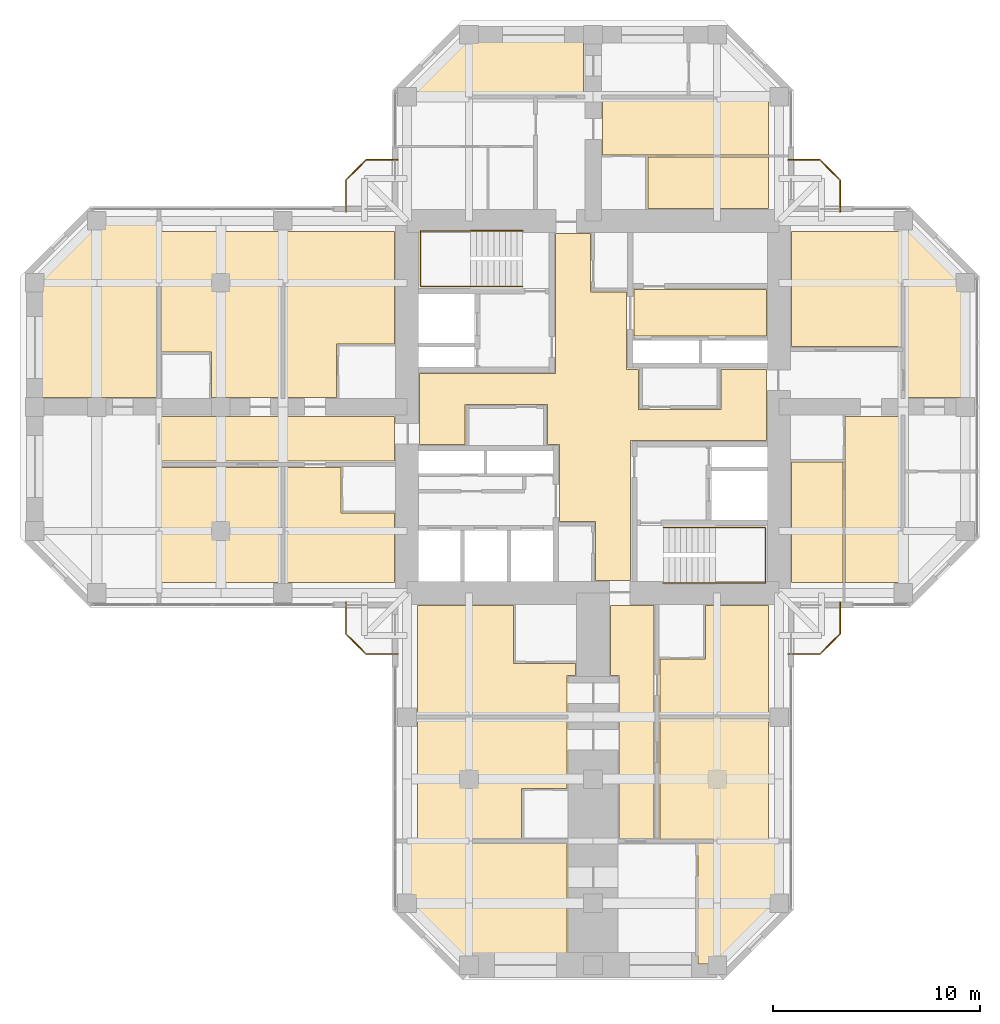
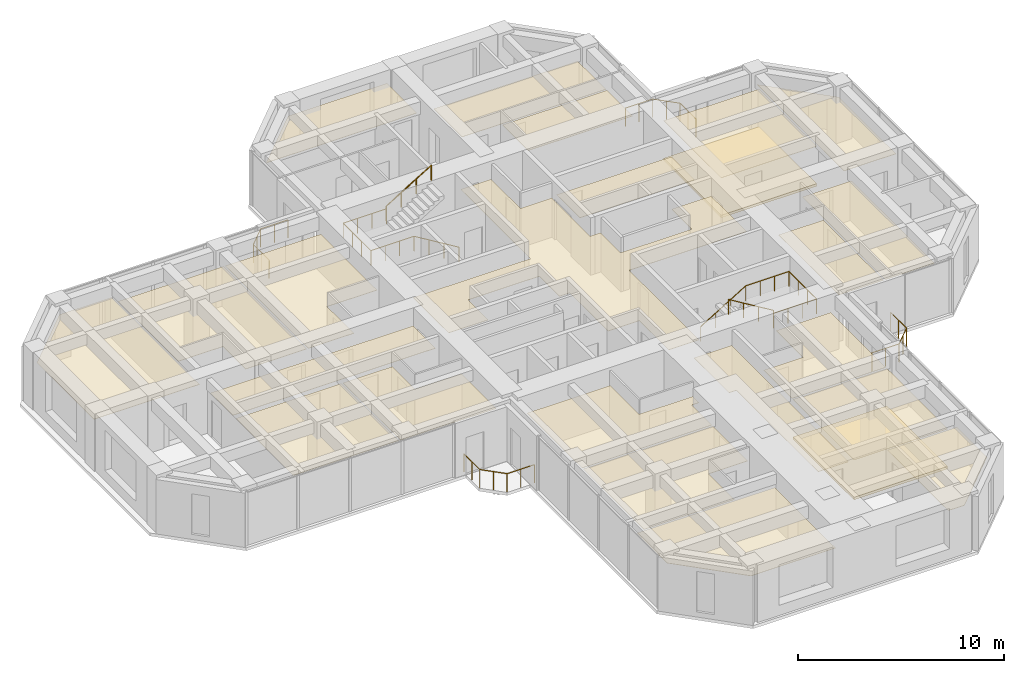
# One storey, part 14 of 14: 24 coverings, 8 railings.
"""IFC4 building model written with IfcOpenShell, lengths in metres."""

from ifc_helpers import new_model, si_unit, direction, frame, origin, origin_2d, place, context, subcontext, project, spatial, polyline, circle, outline, extrude, material, layer, layer_set, constituent, constituent_set, type_object, element, save


model = new_model("IFC4")

# Units and contexts
model_context = context("Model", 3, precision=1e-05, world=origin(), true_north=direction((0.0, 1.0)))
body_context = subcontext(model_context, "Body", "Model", "MODEL_VIEW")
ifc_project = project(units=[si_unit("LENGTHUNIT", "METRE"), si_unit("AREAUNIT", "SQUARE_METRE"), si_unit("VOLUMEUNIT", "CUBIC_METRE"), si_unit("PLANEANGLEUNIT", "RADIAN"), si_unit("MASSUNIT", "GRAM", prefix="KILO")], contexts=[model_context])

# Site, building, storey
site_placement = place(None, origin())
site = spatial("IfcSite", under=ifc_project, at=site_placement, CompositionType="ELEMENT")
building_placement = place(site_placement, origin())
building = spatial("IfcBuilding", under=site, at=building_placement, Name="Torre Cruceta", CompositionType="ELEMENT")
storey_placement = place(building_placement, frame((0.0, 0.0, 206.89990234375)))
storey = spatial("IfcBuildingStorey", under=building, at=storey_placement, Name="L52", CompositionType="ELEMENT", Elevation=206.89990234375)

# Railings
ifc_material_1 = material(Name="Stainless steel 1.4401", Category="steel")
ifc_constituent_1 = constituent(ifc_material_1, Name="Frame")
ifc_material_2 = material(Name="Laminated safety glass", Category="glass")
ifc_constituent_2 = constituent(ifc_material_2, Name="Infill")
ifc_constituent_set_1 = constituent_set(constituents=[ifc_constituent_1, ifc_constituent_2], Name="Stainless steel and laminated glass balustrade")
railing_type_1 = type_object("IfcRailingType", Name="BALCONY BALUSTRADE 1100", PredefinedType="BALUSTRADE", material=ifc_constituent_set_1)
railing_1_placement = place(storey_placement, frame((-9.449951171875, 11.949951171875, 0.0)))
element("IfcRailing", 1, at=railing_1_placement, inside=storey, type_object=railing_type_1, Name="BL1 balcony balustrade L52 N", PredefinedType="BALUSTRADE", context=body_context, shape_type="SweptSolid", body=[
    extrude(circle(Radius=0.02392578125, at=origin_2d()), frame((0.0, 0.0, 1.076171875), z_axis=(-1.0, 0.0, 0.0), x_axis=(0.0, -1.0, 0.0)), (0.0, 0.0, 1.0), 1.529296875),
    extrude(circle(Radius=0.02392578125, at=origin_2d()), frame((-1.529296875, 0.0, 1.076171875), z_axis=(-0.707106781187, -0.707106781187, 0.0), x_axis=(0.707106781187, -0.707106781187, 0.0)), (0.0, 0.0, 1.0), 1.372802734375),
    extrude(circle(Radius=0.02392578125, at=origin_2d()), frame((-2.5, -0.970703125, 1.076171875), z_axis=(0.0, -1.0, 0.0), x_axis=(1.0, 0.0, 0.0)), (0.0, 0.0, 1.0), 1.529296875),
    extrude(circle(Radius=0.02099609375, at=origin_2d()), origin(), (0.0, 0.0, 1.0), 1.052001953125),
    extrude(circle(Radius=0.02099609375, at=origin_2d()), frame((-0.7646484375, 0.0, 0.0)), (0.0, 0.0, 1.0), 1.052001953125),
    extrude(circle(Radius=0.02099609375, at=origin_2d()), frame((-1.529296875, 0.0, 0.0)), (0.0, 0.0, 1.0), 1.052001953125),
    extrude(circle(Radius=0.02099609375, at=origin_2d()), frame((-2.0146484375, -0.4853515625, 0.0)), (0.0, 0.0, 1.0), 1.052001953125),
    extrude(circle(Radius=0.02099609375, at=origin_2d()), frame((-2.5, -0.970703125, 0.0)), (0.0, 0.0, 1.0), 1.052001953125),
    extrude(circle(Radius=0.02099609375, at=origin_2d()), frame((-2.5, -1.7353515625, 0.0)), (0.0, 0.0, 1.0), 1.052001953125),
    extrude(circle(Radius=0.02099609375, at=origin_2d()), frame((-2.5, -2.5, 0.0)), (0.0, 0.0, 1.0), 1.052001953125),
])
railing_2_placement = place(storey_placement, frame((9.449951171875, 11.949951171875, 0.0)))
element("IfcRailing", 2, at=railing_2_placement, inside=storey, type_object=railing_type_1, Name="BL1 balcony balustrade L52 E", PredefinedType="BALUSTRADE", context=body_context, shape_type="SweptSolid", body=[
    extrude(circle(Radius=0.02392578125, at=origin_2d()), frame((0.0, 0.0, 1.076171875), z_axis=(1.0, 0.0, 0.0), x_axis=(0.0, 1.0, 0.0)), (0.0, 0.0, 1.0), 1.529296875),
    extrude(circle(Radius=0.02392578125, at=origin_2d()), frame((1.529296875, 0.0, 1.076171875), z_axis=(0.707106781187, -0.707106781187, 0.0), x_axis=(0.707106781187, 0.707106781187, 0.0)), (0.0, 0.0, 1.0), 1.372802734375),
    extrude(circle(Radius=0.02392578125, at=origin_2d()), frame((2.5, -0.970703125, 1.076171875), z_axis=(0.0, -1.0, 0.0), x_axis=(1.0, 0.0, 0.0)), (0.0, 0.0, 1.0), 1.529296875),
    extrude(circle(Radius=0.02099609375, at=origin_2d()), origin(), (0.0, 0.0, 1.0), 1.052001953125),
    extrude(circle(Radius=0.02099609375, at=origin_2d()), frame((0.7646484375, 0.0, 0.0)), (0.0, 0.0, 1.0), 1.052001953125),
    extrude(circle(Radius=0.02099609375, at=origin_2d()), frame((1.529296875, 0.0, 0.0)), (0.0, 0.0, 1.0), 1.052001953125),
    extrude(circle(Radius=0.02099609375, at=origin_2d()), frame((2.0146484375, -0.4853515625, 0.0)), (0.0, 0.0, 1.0), 1.052001953125),
    extrude(circle(Radius=0.02099609375, at=origin_2d()), frame((2.5, -0.970703125, 0.0)), (0.0, 0.0, 1.0), 1.052001953125),
    extrude(circle(Radius=0.02099609375, at=origin_2d()), frame((2.5, -1.7353515625, 0.0)), (0.0, 0.0, 1.0), 1.052001953125),
    extrude(circle(Radius=0.02099609375, at=origin_2d()), frame((2.5, -2.5, 0.0)), (0.0, 0.0, 1.0), 1.052001953125),
])
railing_3_placement = place(storey_placement, frame((9.449951171875, -11.949951171875, 0.0)))
element("IfcRailing", 3, at=railing_3_placement, inside=storey, type_object=railing_type_1, Name="BL1 balcony balustrade L52 S", PredefinedType="BALUSTRADE", context=body_context, shape_type="SweptSolid", body=[
    extrude(circle(Radius=0.02392578125, at=origin_2d()), frame((0.0, 0.0, 1.076171875), z_axis=(1.0, 0.0, 0.0), x_axis=(0.0, 1.0, 0.0)), (0.0, 0.0, 1.0), 1.529296875),
    extrude(circle(Radius=0.02392578125, at=origin_2d()), frame((1.529296875, 0.0, 1.076171875), z_axis=(0.707106781187, 0.707106781187, 0.0), x_axis=(-0.707106781187, 0.707106781187, 0.0)), (0.0, 0.0, 1.0), 1.372802734375),
    extrude(circle(Radius=0.02392578125, at=origin_2d()), frame((2.5, 0.970703125, 1.076171875), z_axis=(0.0, 1.0, 0.0), x_axis=(-1.0, 0.0, 0.0)), (0.0, 0.0, 1.0), 1.529296875),
    extrude(circle(Radius=0.02099609375, at=origin_2d()), origin(), (0.0, 0.0, 1.0), 1.052001953125),
    extrude(circle(Radius=0.02099609375, at=origin_2d()), frame((0.7646484375, 0.0, 0.0)), (0.0, 0.0, 1.0), 1.052001953125),
    extrude(circle(Radius=0.02099609375, at=origin_2d()), frame((1.529296875, 0.0, 0.0)), (0.0, 0.0, 1.0), 1.052001953125),
    extrude(circle(Radius=0.02099609375, at=origin_2d()), frame((2.0146484375, 0.4853515625, 0.0)), (0.0, 0.0, 1.0), 1.052001953125),
    extrude(circle(Radius=0.02099609375, at=origin_2d()), frame((2.5, 0.970703125, 0.0)), (0.0, 0.0, 1.0), 1.052001953125),
    extrude(circle(Radius=0.02099609375, at=origin_2d()), frame((2.5, 1.7353515625, 0.0)), (0.0, 0.0, 1.0), 1.052001953125),
    extrude(circle(Radius=0.02099609375, at=origin_2d()), frame((2.5, 2.5, 0.0)), (0.0, 0.0, 1.0), 1.052001953125),
])
railing_4_placement = place(storey_placement, frame((-9.449951171875, -11.949951171875, 0.0)))
element("IfcRailing", 4, at=railing_4_placement, inside=storey, type_object=railing_type_1, Name="BL1 balcony balustrade L52 W", PredefinedType="BALUSTRADE", context=body_context, shape_type="SweptSolid", body=[
    extrude(circle(Radius=0.02392578125, at=origin_2d()), frame((0.0, 0.0, 1.076171875), z_axis=(-1.0, 0.0, 0.0), x_axis=(0.0, -1.0, 0.0)), (0.0, 0.0, 1.0), 1.529296875),
    extrude(circle(Radius=0.02392578125, at=origin_2d()), frame((-1.529296875, 0.0, 1.076171875), z_axis=(-0.707106781187, 0.707106781187, 0.0), x_axis=(-0.707106781187, -0.707106781187, 0.0)), (0.0, 0.0, 1.0), 1.372802734375),
    extrude(circle(Radius=0.02392578125, at=origin_2d()), frame((-2.5, 0.970703125, 1.076171875), z_axis=(0.0, 1.0, 0.0), x_axis=(-1.0, 0.0, 0.0)), (0.0, 0.0, 1.0), 1.529296875),
    extrude(circle(Radius=0.02099609375, at=origin_2d()), origin(), (0.0, 0.0, 1.0), 1.052001953125),
    extrude(circle(Radius=0.02099609375, at=origin_2d()), frame((-0.7646484375, 0.0, 0.0)), (0.0, 0.0, 1.0), 1.052001953125),
    extrude(circle(Radius=0.02099609375, at=origin_2d()), frame((-1.529296875, 0.0, 0.0)), (0.0, 0.0, 1.0), 1.052001953125),
    extrude(circle(Radius=0.02099609375, at=origin_2d()), frame((-2.0146484375, 0.4853515625, 0.0)), (0.0, 0.0, 1.0), 1.052001953125),
    extrude(circle(Radius=0.02099609375, at=origin_2d()), frame((-2.5, 0.970703125, 0.0)), (0.0, 0.0, 1.0), 1.052001953125),
    extrude(circle(Radius=0.02099609375, at=origin_2d()), frame((-2.5, 1.7353515625, 0.0)), (0.0, 0.0, 1.0), 1.052001953125),
    extrude(circle(Radius=0.02099609375, at=origin_2d()), frame((-2.5, 2.5, 0.0)), (0.0, 0.0, 1.0), 1.052001953125),
])
ifc_material_3 = material(Name="Stainless steel 1.4401", Category="steel")
railing_type_2 = type_object("IfcRailingType", Name="HANDRAIL 900", PredefinedType="HANDRAIL", material=ifc_material_3)
railing_5_placement = place(storey_placement, frame((-3.39990234375, 5.8349609375, 0.170166015625)))
element("IfcRailing", 5, at=railing_5_placement, inside=storey, type_object=railing_type_2, Name="Handrail HR1 ST1 L52", PredefinedType="HANDRAIL", context=body_context, shape_type="SweptSolid", body=[
    extrude(circle(Radius=0.02392578125, at=origin_2d()), frame((0.0, 0.0, 0.8759765625), z_axis=(-0.85478489116, 0.0, 0.518982456201), x_axis=(0.0, -1.0, 0.0)), (0.0, 0.0, 1.0), 2.9482421875),
    extrude(circle(Radius=0.02392578125, at=origin_2d()), frame((-2.52001953125, 0.0, 2.40576171875), z_axis=(-1.0, 0.0, 0.0), x_axis=(0.0, -1.0, 0.0)), (0.0, 0.0, 1.0), 2.420166015625),
    extrude(circle(Radius=0.02392578125, at=origin_2d()), frame((-4.940185546875, 0.0, 2.40576171875), z_axis=(0.0, 1.0, 0.0), x_axis=(-1.0, 0.0, 0.0)), (0.0, 0.0, 1.0), 2.679931640625),
    extrude(circle(Radius=0.02392578125, at=origin_2d()), frame((-4.940185546875, 2.679931640625, 2.40576171875), z_axis=(1.0, 0.0, 0.0), x_axis=(0.0, 1.0, 0.0)), (0.0, 0.0, 1.0), 2.420166015625),
    extrude(circle(Radius=0.02099609375, at=origin_2d()), origin(), (0.0, 0.0, 1.0), 0.851806640625),
    extrude(circle(Radius=0.02099609375, at=origin_2d()), frame((-0.840087890625, 0.0, 0.510009765625)), (0.0, 0.0, 1.0), 0.851806640625),
    extrude(circle(Radius=0.02099609375, at=origin_2d()), frame((-1.679931640625, 0.0, 1.02001953125)), (0.0, 0.0, 1.0), 0.851806640625),
    extrude(circle(Radius=0.02099609375, at=origin_2d()), frame((-2.52001953125, 0.0, 1.530029296875)), (0.0, 0.0, 1.0), 0.851806640625),
    extrude(circle(Radius=0.02099609375, at=origin_2d()), frame((-3.32666015625, 0.0, 1.530029296875)), (0.0, 0.0, 1.0), 0.851806640625),
    extrude(circle(Radius=0.02099609375, at=origin_2d()), frame((-4.133544921875, 0.0, 1.530029296875)), (0.0, 0.0, 1.0), 0.851806640625),
    extrude(circle(Radius=0.02099609375, at=origin_2d()), frame((-4.940185546875, 0.0, 1.530029296875)), (0.0, 0.0, 1.0), 0.851806640625),
    extrude(circle(Radius=0.02099609375, at=origin_2d()), frame((-4.940185546875, 0.893310546875, 1.530029296875)), (0.0, 0.0, 1.0), 0.851806640625),
    extrude(circle(Radius=0.02099609375, at=origin_2d()), frame((-4.940185546875, 1.78662109375, 1.530029296875)), (0.0, 0.0, 1.0), 0.851806640625),
    extrude(circle(Radius=0.02099609375, at=origin_2d()), frame((-4.940185546875, 2.679931640625, 1.530029296875)), (0.0, 0.0, 1.0), 0.851806640625),
    extrude(circle(Radius=0.02099609375, at=origin_2d()), frame((-4.133544921875, 2.679931640625, 1.530029296875)), (0.0, 0.0, 1.0), 0.851806640625),
    extrude(circle(Radius=0.02099609375, at=origin_2d()), frame((-3.32666015625, 2.679931640625, 1.530029296875)), (0.0, 0.0, 1.0), 0.851806640625),
    extrude(circle(Radius=0.02099609375, at=origin_2d()), frame((-2.52001953125, 2.679931640625, 1.530029296875)), (0.0, 0.0, 1.0), 0.851806640625),
])
railing_6_placement = place(storey_placement, frame((-5.919921875, 8.514892578125, 1.8701171875)))
element("IfcRailing", 6, at=railing_6_placement, inside=storey, type_object=railing_type_2, Name="Handrail HR1 ST1 L52", PredefinedType="HANDRAIL", context=body_context, shape_type="SweptSolid", body=[
    extrude(circle(Radius=0.02392578125, at=origin_2d()), frame((0.0, 0.0, 0.8759765625), z_axis=(0.85478489116, 0.0, 0.518982456201), x_axis=(0.0, 1.0, 0.0)), (0.0, 0.0, 1.0), 2.9482421875),
    extrude(circle(Radius=0.02099609375, at=origin_2d()), origin(), (0.0, 0.0, 1.0), 0.851806640625),
    extrude(circle(Radius=0.02099609375, at=origin_2d()), frame((0.840087890625, 0.0, 0.510009765625)), (0.0, 0.0, 1.0), 0.851806640625),
    extrude(circle(Radius=0.02099609375, at=origin_2d()), frame((1.679931640625, 0.0, 1.02001953125)), (0.0, 0.0, 1.0), 0.851806640625),
    extrude(circle(Radius=0.02099609375, at=origin_2d()), frame((2.52001953125, 0.0, 1.530029296875)), (0.0, 0.0, 1.0), 0.851806640625),
])
railing_7_placement = place(storey_placement, frame((3.39990234375, -5.8349609375, 0.170166015625)))
element("IfcRailing", 7, at=railing_7_placement, inside=storey, type_object=railing_type_2, Name="Handrail HR1 ST2 L52", PredefinedType="HANDRAIL", context=body_context, shape_type="SweptSolid", body=[
    extrude(circle(Radius=0.02392578125, at=origin_2d()), frame((0.0, 0.0, 0.8759765625), z_axis=(0.85478489116, 0.0, 0.518982456201), x_axis=(0.0, 1.0, 0.0)), (0.0, 0.0, 1.0), 2.9482421875),
    extrude(circle(Radius=0.02392578125, at=origin_2d()), frame((2.52001953125, 0.0, 2.40576171875), z_axis=(1.0, 0.0, 0.0), x_axis=(0.0, 1.0, 0.0)), (0.0, 0.0, 1.0), 2.420166015625),
    extrude(circle(Radius=0.02392578125, at=origin_2d()), frame((4.940185546875, 0.0, 2.40576171875), z_axis=(0.0, -1.0, 0.0), x_axis=(1.0, 0.0, 0.0)), (0.0, 0.0, 1.0), 2.679931640625),
    extrude(circle(Radius=0.02392578125, at=origin_2d()), frame((4.940185546875, -2.679931640625, 2.40576171875), z_axis=(-1.0, 0.0, 0.0), x_axis=(0.0, -1.0, 0.0)), (0.0, 0.0, 1.0), 2.420166015625),
    extrude(circle(Radius=0.02099609375, at=origin_2d()), origin(), (0.0, 0.0, 1.0), 0.851806640625),
    extrude(circle(Radius=0.02099609375, at=origin_2d()), frame((0.840087890625, 0.0, 0.510009765625)), (0.0, 0.0, 1.0), 0.851806640625),
    extrude(circle(Radius=0.02099609375, at=origin_2d()), frame((1.679931640625, 0.0, 1.02001953125)), (0.0, 0.0, 1.0), 0.851806640625),
    extrude(circle(Radius=0.02099609375, at=origin_2d()), frame((2.52001953125, 0.0, 1.530029296875)), (0.0, 0.0, 1.0), 0.851806640625),
    extrude(circle(Radius=0.02099609375, at=origin_2d()), frame((3.32666015625, 0.0, 1.530029296875)), (0.0, 0.0, 1.0), 0.851806640625),
    extrude(circle(Radius=0.02099609375, at=origin_2d()), frame((4.133544921875, 0.0, 1.530029296875)), (0.0, 0.0, 1.0), 0.851806640625),
    extrude(circle(Radius=0.02099609375, at=origin_2d()), frame((4.940185546875, 0.0, 1.530029296875)), (0.0, 0.0, 1.0), 0.851806640625),
    extrude(circle(Radius=0.02099609375, at=origin_2d()), frame((4.940185546875, -0.893310546875, 1.530029296875)), (0.0, 0.0, 1.0), 0.851806640625),
    extrude(circle(Radius=0.02099609375, at=origin_2d()), frame((4.940185546875, -1.78662109375, 1.530029296875)), (0.0, 0.0, 1.0), 0.851806640625),
    extrude(circle(Radius=0.02099609375, at=origin_2d()), frame((4.940185546875, -2.679931640625, 1.530029296875)), (0.0, 0.0, 1.0), 0.851806640625),
    extrude(circle(Radius=0.02099609375, at=origin_2d()), frame((4.133544921875, -2.679931640625, 1.530029296875)), (0.0, 0.0, 1.0), 0.851806640625),
    extrude(circle(Radius=0.02099609375, at=origin_2d()), frame((3.32666015625, -2.679931640625, 1.530029296875)), (0.0, 0.0, 1.0), 0.851806640625),
    extrude(circle(Radius=0.02099609375, at=origin_2d()), frame((2.52001953125, -2.679931640625, 1.530029296875)), (0.0, 0.0, 1.0), 0.851806640625),
])
railing_8_placement = place(storey_placement, frame((5.919921875, -8.514892578125, 1.8701171875)))
element("IfcRailing", 8, at=railing_8_placement, inside=storey, type_object=railing_type_2, Name="Handrail HR1 ST2 L52", PredefinedType="HANDRAIL", context=body_context, shape_type="SweptSolid", body=[
    extrude(circle(Radius=0.02392578125, at=origin_2d()), frame((0.0, 0.0, 0.8759765625), z_axis=(-0.85478489116, 0.0, 0.518982456201), x_axis=(0.0, -1.0, 0.0)), (0.0, 0.0, 1.0), 2.9482421875),
    extrude(circle(Radius=0.02099609375, at=origin_2d()), origin(), (0.0, 0.0, 1.0), 0.851806640625),
    extrude(circle(Radius=0.02099609375, at=origin_2d()), frame((-0.840087890625, 0.0, 0.510009765625)), (0.0, 0.0, 1.0), 0.851806640625),
    extrude(circle(Radius=0.02099609375, at=origin_2d()), frame((-1.679931640625, 0.0, 1.02001953125)), (0.0, 0.0, 1.0), 0.851806640625),
    extrude(circle(Radius=0.02099609375, at=origin_2d()), frame((-2.52001953125, 0.0, 1.530029296875)), (0.0, 0.0, 1.0), 0.851806640625),
])

# Coverings
ifc_material_4 = material(Name="Steel DX51D", Category="steel")
ifc_constituent_3 = constituent(ifc_material_4, Name="Panel casing")
ifc_material_5 = material(Name="Calcium sulphate", Category="gypsum")
ifc_constituent_4 = constituent(ifc_material_5, Name="Panel core")
ifc_constituent_set_2 = constituent_set(constituents=[ifc_constituent_3, ifc_constituent_4], Name="Raised access floor panel")
covering_type_1 = type_object("IfcCoveringType", Name="RAISED ACCESS FLOOR 150", PredefinedType="FLOORING", material=ifc_constituent_set_2)
covering_1_placement = place(storey_placement, origin())
element("IfcCovering", 9, at=covering_1_placement, inside=storey, type_object=covering_type_1, Name="Raised floor L52-036", PredefinedType="FLOORING", context=body_context, shape_type="SweptSolid", body=[
    extrude(outline(polyline([(9.60009765625, 2.925048828125), (9.60009765625, 8.5), (14.949951171875, 8.5), (14.949951171875, 2.925048828125), (9.60009765625, 2.925048828125)])), origin(), (0.0, 0.0, 1.0), 0.150146484375),
])
covering_2_placement = place(storey_placement, origin())
element("IfcCovering", 10, at=covering_2_placement, inside=storey, type_object=covering_type_1, Name="Raised floor L52-048", PredefinedType="FLOORING", context=body_context, shape_type="SweptSolid", body=[
    extrude(outline(polyline([(3.25, -15.050048828125), (8.5, -15.050048828125), (8.5, -20.949951171875), (3.25, -20.949951171875), (3.25, -15.050048828125)])), origin(), (0.0, 0.0, 1.0), 0.150146484375),
])
ifc_material_6 = material(Name="Mineral fibre ceiling tile", Category="gypsum")
ifc_layer = layer(ifc_material_6, 0.02001953125)
ifc_layer_set = layer_set([ifc_layer], Name="Mineral fibre ceiling tile")
covering_type_2 = type_object("IfcCoveringType", Name="SUSPENDED CEILING 20", PredefinedType="CEILING", material=ifc_layer_set)
covering_3_placement = place(storey_placement, frame((0.0, 0.0, 2.35009765625)))
element("IfcCovering", 11, at=covering_3_placement, inside=storey, type_object=covering_type_2, Name="Ceiling L52-002", PredefinedType="CEILING", context=body_context, shape_type="SweptSolid", body=[
    extrude(outline(polyline([(1.824951171875, -8.39990234375), (0.125, -8.39990234375), (0.125, -5.550048828125), (-1.625, -5.550048828125), (-1.625, -1.824951171875), (-2.199951171875, -1.824951171875), (-2.199951171875, 0.125), (-6.199951171875, 0.125), (-6.199951171875, -1.824951171875), (-8.39990234375, -1.824951171875), (-8.39990234375, 1.625), (-1.824951171875, 1.625), (-1.824951171875, 8.39990234375), (-0.125, 8.39990234375), (-0.125, 5.550048828125), (1.625, 5.550048828125), (1.625, 1.824951171875), (2.199951171875, 1.824951171875), (2.199951171875, -0.125), (6.199951171875, -0.125), (6.199951171875, 1.824951171875), (8.39990234375, 1.824951171875), (8.39990234375, -1.625), (1.824951171875, -1.625), (1.824951171875, -8.39990234375)])), origin(), (0.0, 0.0, 1.0), 0.02001953125),
])
covering_4_placement = place(storey_placement, frame((0.0, 0.0, 2.35009765625)))
element("IfcCovering", 12, at=covering_4_placement, inside=storey, type_object=covering_type_2, Name="Ceiling L52-007", PredefinedType="CEILING", context=body_context, shape_type="SweptSolid", body=[
    extrude(outline(polyline([(1.97509765625, 3.425048828125), (1.97509765625, 5.675048828125), (8.39990234375, 5.675048828125), (8.39990234375, 3.425048828125), (1.97509765625, 3.425048828125)])), origin(), (0.0, 0.0, 1.0), 0.02001953125),
])
covering_5_placement = place(storey_placement, frame((0.0, 0.0, 2.35009765625)))
element("IfcCovering", 13, at=covering_5_placement, inside=storey, type_object=covering_type_2, Name="Ceiling L52-029", PredefinedType="CEILING", context=body_context, shape_type="SweptSolid", body=[
    extrude(outline(polyline([(8.5, 14.949951171875), (8.5, 12.199951171875), (0.449951171875, 12.199951171875), (0.449951171875, 14.949951171875), (8.5, 14.949951171875)])), origin(), (0.0, 0.0, 1.0), 0.02001953125),
])
covering_6_placement = place(storey_placement, frame((0.0, 0.0, 2.35009765625)))
element("IfcCovering", 14, at=covering_6_placement, inside=storey, type_object=covering_type_2, Name="Ceiling L52-030", PredefinedType="CEILING", context=body_context, shape_type="SweptSolid", body=[
    extrude(outline(polyline([(8.5, 9.60009765625), (2.64990234375, 9.60009765625), (2.64990234375, 12.10009765625), (8.5, 12.10009765625), (8.5, 9.60009765625)])), origin(), (0.0, 0.0, 1.0), 0.02001953125),
])
covering_7_placement = place(storey_placement, frame((0.0, 0.0, 2.35009765625)))
element("IfcCovering", 15, at=covering_7_placement, inside=storey, type_object=covering_type_2, Name="Ceiling L52-032", PredefinedType="CEILING", context=body_context, shape_type="SweptSolid", body=[
    extrude(outline(polyline([(-5.979248046875, 17.949951171875), (-0.449951171875, 17.949951171875), (-0.449951171875, 15.050048828125), (-8.87939453125, 15.050048828125), (-5.979248046875, 17.949951171875)])), origin(), (0.0, 0.0, 1.0), 0.02001953125),
])
covering_8_placement = place(storey_placement, frame((0.0, 0.0, 2.35009765625)))
element("IfcCovering", 16, at=covering_8_placement, inside=storey, type_object=covering_type_2, Name="Ceiling L52-036", PredefinedType="CEILING", context=body_context, shape_type="SweptSolid", body=[
    extrude(outline(polyline([(9.60009765625, 2.925048828125), (9.60009765625, 8.5), (14.949951171875, 8.5), (14.949951171875, 2.925048828125), (9.60009765625, 2.925048828125)])), origin(), (0.0, 0.0, 1.0), 0.02001953125),
])
covering_9_placement = place(storey_placement, frame((0.0, 0.0, 2.35009765625)))
element("IfcCovering", 17, at=covering_9_placement, inside=storey, type_object=covering_type_2, Name="Ceiling L52-037", PredefinedType="CEILING", context=body_context, shape_type="SweptSolid", body=[
    extrude(outline(polyline([(14.949951171875, -8.5), (12.199951171875, -8.5), (12.199951171875, -0.449951171875), (14.949951171875, -0.449951171875), (14.949951171875, -8.5)])), origin(), (0.0, 0.0, 1.0), 0.02001953125),
])
covering_10_placement = place(storey_placement, frame((0.0, 0.0, 2.35009765625)))
element("IfcCovering", 18, at=covering_10_placement, inside=storey, type_object=covering_type_2, Name="Ceiling L52-038", PredefinedType="CEILING", context=body_context, shape_type="SweptSolid", body=[
    extrude(outline(polyline([(9.60009765625, -8.5), (9.60009765625, -2.64990234375), (12.10009765625, -2.64990234375), (12.10009765625, -8.5), (9.60009765625, -8.5)])), origin(), (0.0, 0.0, 1.0), 0.02001953125),
])
covering_11_placement = place(storey_placement, frame((0.0, 0.0, 2.35009765625)))
element("IfcCovering", 19, at=covering_11_placement, inside=storey, type_object=covering_type_2, Name="Ceiling L52-040", PredefinedType="CEILING", context=body_context, shape_type="SweptSolid", body=[
    extrude(outline(polyline([(17.949951171875, 5.979248046875), (17.949951171875, 0.449951171875), (15.050048828125, 0.449951171875), (15.050048828125, 8.87939453125), (17.949951171875, 5.979248046875)])), origin(), (0.0, 0.0, 1.0), 0.02001953125),
])
covering_12_placement = place(storey_placement, frame((0.0, 0.0, 2.35009765625)))
element("IfcCovering", 20, at=covering_12_placement, inside=storey, type_object=covering_type_2, Name="Ceiling L52-043", PredefinedType="CEILING", context=body_context, shape_type="SweptSolid", body=[
    extrude(outline(polyline([(0.85009765625, -9.60009765625), (2.949951171875, -9.60009765625), (2.949951171875, -20.949951171875), (1.25, -20.949951171875), (1.25, -13.0), (0.85009765625, -13.0), (0.85009765625, -9.60009765625)])), origin(), (0.0, 0.0, 1.0), 0.02001953125),
])
covering_13_placement = place(storey_placement, frame((0.0, 0.0, 2.35009765625)))
element("IfcCovering", 21, at=covering_13_placement, inside=storey, type_object=covering_type_2, Name="Ceiling L52-044", PredefinedType="CEILING", context=body_context, shape_type="SweptSolid", body=[
    extrude(outline(polyline([(8.5, -9.60009765625), (8.5, -14.949951171875), (3.25, -14.949951171875), (3.25, -12.199951171875), (5.449951171875, -12.199951171875), (5.449951171875, -9.60009765625), (8.5, -9.60009765625)])), origin(), (0.0, 0.0, 1.0), 0.02001953125),
])
covering_14_placement = place(storey_placement, frame((0.0, 0.0, 2.35009765625)))
element("IfcCovering", 22, at=covering_14_placement, inside=storey, type_object=covering_type_2, Name="Ceiling L52-046", PredefinedType="CEILING", context=body_context, shape_type="SweptSolid", body=[
    extrude(outline(polyline([(-8.5, -14.949951171875), (-8.5, -9.60009765625), (-3.85009765625, -9.60009765625), (-3.85009765625, -12.39990234375), (-0.85009765625, -12.39990234375), (-0.85009765625, -13.0), (-1.25, -13.0), (-1.25, -14.949951171875), (-8.5, -14.949951171875)])), origin(), (0.0, 0.0, 1.0), 0.02001953125),
])
covering_15_placement = place(storey_placement, frame((0.0, 0.0, 2.35009765625)))
element("IfcCovering", 23, at=covering_15_placement, inside=storey, type_object=covering_type_2, Name="Ceiling L52-048", PredefinedType="CEILING", context=body_context, shape_type="SweptSolid", body=[
    extrude(outline(polyline([(3.25, -15.050048828125), (8.5, -15.050048828125), (8.5, -20.949951171875), (3.25, -20.949951171875), (3.25, -15.050048828125)])), origin(), (0.0, 0.0, 1.0), 0.02001953125),
])
covering_16_placement = place(storey_placement, frame((0.0, 0.0, 2.35009765625)))
element("IfcCovering", 24, at=covering_16_placement, inside=storey, type_object=covering_type_2, Name="Ceiling L52-049", PredefinedType="CEILING", context=body_context, shape_type="SweptSolid", body=[
    extrude(outline(polyline([(-8.5, -15.050048828125), (-1.25, -15.050048828125), (-1.25, -18.449951171875), (-3.449951171875, -18.449951171875), (-3.449951171875, -20.949951171875), (-8.5, -20.949951171875), (-8.5, -15.050048828125)])), origin(), (0.0, 0.0, 1.0), 0.02001953125),
])
covering_17_placement = place(storey_placement, frame((0.0, 0.0, 2.35009765625)))
element("IfcCovering", 25, at=covering_17_placement, inside=storey, type_object=covering_type_2, Name="Ceiling L52-052", PredefinedType="CEILING", context=body_context, shape_type="SweptSolid", body=[
    extrude(outline(polyline([(8.949951171875, -23.979248046875), (5.979248046875, -26.949951171875), (5.074951171875, -26.949951171875), (5.074951171875, -21.050048828125), (8.949951171875, -21.050048828125), (8.949951171875, -23.979248046875)])), origin(), (0.0, 0.0, 1.0), 0.02001953125),
])
covering_18_placement = place(storey_placement, frame((0.0, 0.0, 2.35009765625)))
element("IfcCovering", 26, at=covering_18_placement, inside=storey, type_object=covering_type_2, Name="Ceiling L52-053", PredefinedType="CEILING", context=body_context, shape_type="SweptSolid", body=[
    extrude(outline(polyline([(-8.949951171875, -23.979248046875), (-8.949951171875, -21.050048828125), (-1.25, -21.050048828125), (-1.25, -26.949951171875), (-5.979248046875, -26.949951171875), (-8.949951171875, -23.979248046875)])), origin(), (0.0, 0.0, 1.0), 0.02001953125),
])
covering_19_placement = place(storey_placement, frame((0.0, 0.0, 2.35009765625)))
element("IfcCovering", 27, at=covering_19_placement, inside=storey, type_object=covering_type_2, Name="Ceiling L52-054", PredefinedType="CEILING", context=body_context, shape_type="SweptSolid", body=[
    extrude(outline(polyline([(-9.60009765625, -0.449951171875), (-9.60009765625, -2.625), (-20.949951171875, -2.625), (-20.949951171875, -0.449951171875), (-9.60009765625, -0.449951171875)])), origin(), (0.0, 0.0, 1.0), 0.02001953125),
])
covering_20_placement = place(storey_placement, frame((0.0, 0.0, 2.35009765625)))
element("IfcCovering", 28, at=covering_20_placement, inside=storey, type_object=covering_type_2, Name="Ceiling L52-055", PredefinedType="CEILING", context=body_context, shape_type="SweptSolid", body=[
    extrude(outline(polyline([(-9.60009765625, -8.5), (-14.949951171875, -8.5), (-14.949951171875, -2.925048828125), (-12.199951171875, -2.925048828125), (-12.199951171875, -5.125), (-9.60009765625, -5.125), (-9.60009765625, -8.5)])), origin(), (0.0, 0.0, 1.0), 0.02001953125),
])
covering_21_placement = place(storey_placement, frame((0.0, 0.0, 2.35009765625)))
element("IfcCovering", 29, at=covering_21_placement, inside=storey, type_object=covering_type_2, Name="Ceiling L52-057", PredefinedType="CEILING", context=body_context, shape_type="SweptSolid", body=[
    extrude(outline(polyline([(-14.949951171875, 0.449951171875), (-14.949951171875, 8.5), (-9.60009765625, 8.5), (-9.60009765625, 3.050048828125), (-12.39990234375, 3.050048828125), (-12.39990234375, 0.449951171875), (-14.949951171875, 0.449951171875)])), origin(), (0.0, 0.0, 1.0), 0.02001953125),
])
covering_22_placement = place(storey_placement, frame((0.0, 0.0, 2.35009765625)))
element("IfcCovering", 30, at=covering_22_placement, inside=storey, type_object=covering_type_2, Name="Ceiling L52-059", PredefinedType="CEILING", context=body_context, shape_type="SweptSolid", body=[
    extrude(outline(polyline([(-15.050048828125, -2.925048828125), (-15.050048828125, -8.5), (-20.949951171875, -8.5), (-20.949951171875, -2.925048828125), (-15.050048828125, -2.925048828125)])), origin(), (0.0, 0.0, 1.0), 0.02001953125),
])
covering_23_placement = place(storey_placement, frame((0.0, 0.0, 2.35009765625)))
element("IfcCovering", 31, at=covering_23_placement, inside=storey, type_object=covering_type_2, Name="Ceiling L52-060", PredefinedType="CEILING", context=body_context, shape_type="SweptSolid", body=[
    extrude(outline(polyline([(-20.949951171875, 8.5), (-15.050048828125, 8.5), (-15.050048828125, 0.449951171875), (-18.449951171875, 0.449951171875), (-18.449951171875, 2.64990234375), (-20.949951171875, 2.64990234375), (-20.949951171875, 8.5)])), origin(), (0.0, 0.0, 1.0), 0.02001953125),
])
covering_24_placement = place(storey_placement, frame((0.0, 0.0, 2.35009765625)))
element("IfcCovering", 32, at=covering_24_placement, inside=storey, type_object=covering_type_2, Name="Ceiling L52-063", PredefinedType="CEILING", context=body_context, shape_type="SweptSolid", body=[
    extrude(outline(polyline([(-23.979248046875, 8.949951171875), (-21.050048828125, 8.949951171875), (-21.050048828125, 0.449951171875), (-26.949951171875, 0.449951171875), (-26.949951171875, 5.979248046875), (-23.979248046875, 8.949951171875)])), origin(), (0.0, 0.0, 1.0), 0.02001953125),
])

save(model, "model.ifc")
